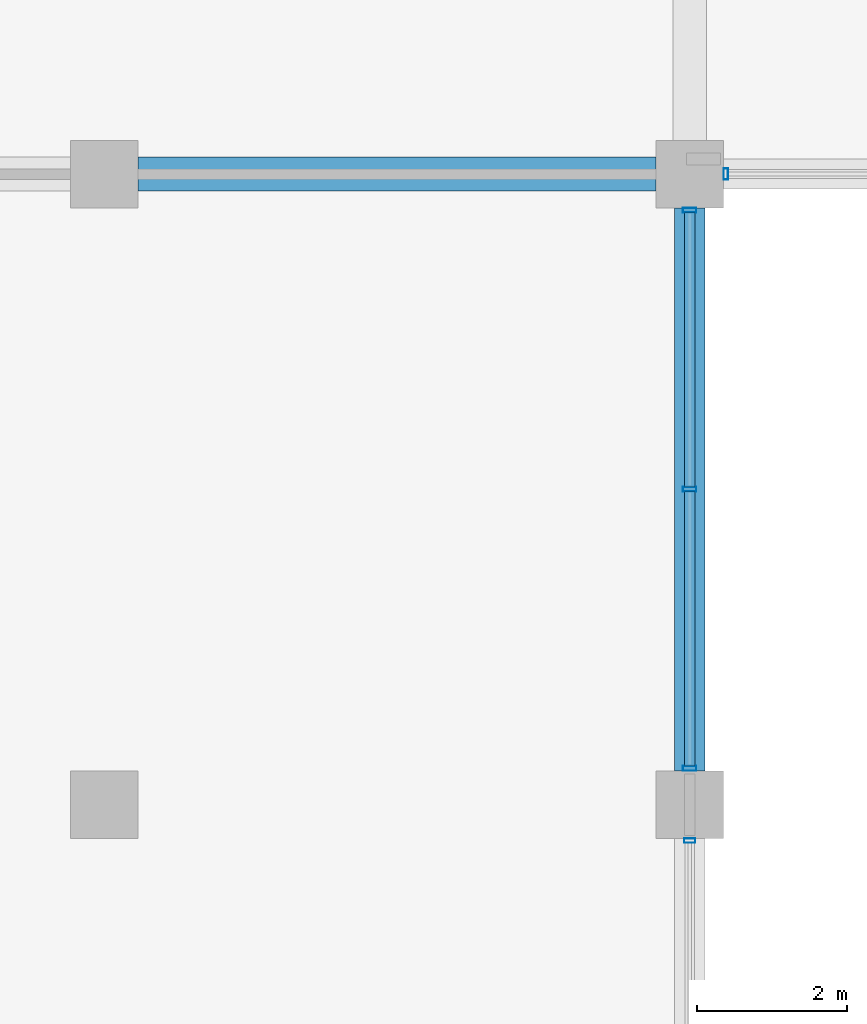
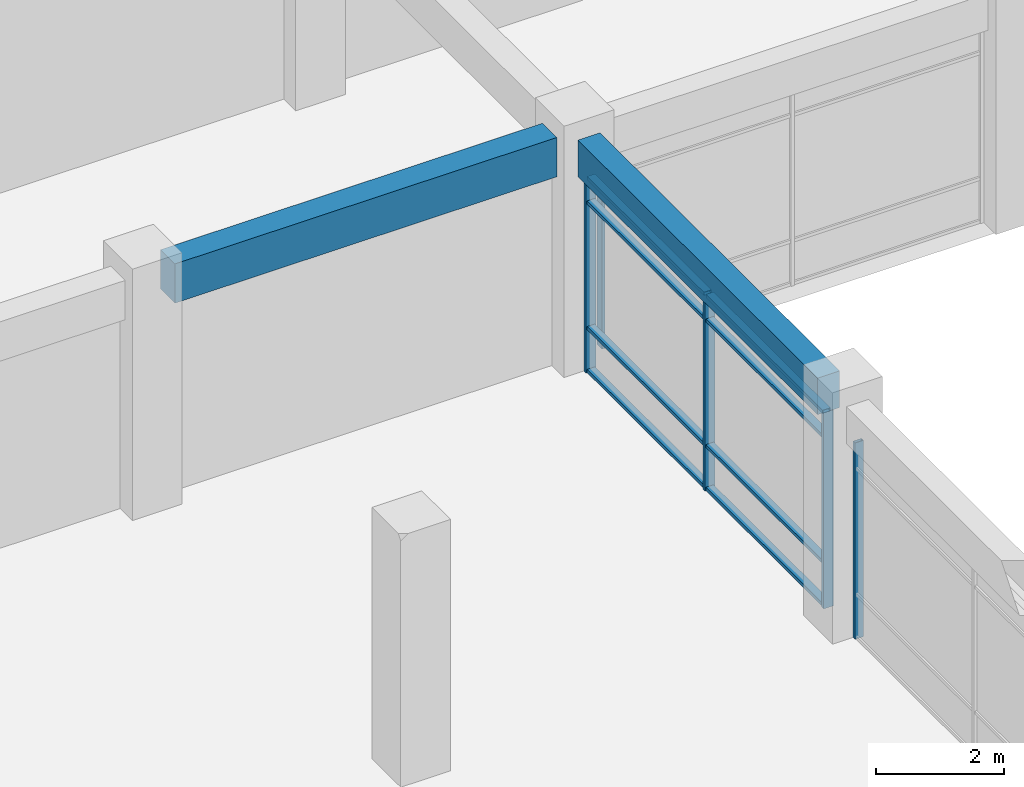
# One storey, part 24 of 79: 13 members, 2 beams, 3 elements without a shape of their own.
"""IFC4 building model written with IfcOpenShell, lengths in metres."""

from ifc_helpers import new_model, si_unit, direction, frame, origin, origin_2d, place, context, subcontext, project, spatial, rectangle, hollow_rectangle, extrude, material, material_profile, profile_set, type_object, element, aggregate, save


model = new_model("IFC4")

# Units and contexts
model_context = context("Model", 3, precision=1e-05, world=origin(), true_north=direction((0.0, 1.0)))
body_context = subcontext(model_context, "Body", "Model", "MODEL_VIEW")
ifc_project = project(units=[si_unit("LENGTHUNIT", "METRE"), si_unit("AREAUNIT", "SQUARE_METRE"), si_unit("VOLUMEUNIT", "CUBIC_METRE"), si_unit("PLANEANGLEUNIT", "RADIAN"), si_unit("MASSUNIT", "GRAM", prefix="KILO"), si_unit("THERMODYNAMICTEMPERATUREUNIT", "KELVIN"), si_unit("POWERUNIT", "WATT")], contexts=[model_context])

# Site, building, storey
site_placement = place(None, origin())
site = spatial("IfcSite", under=ifc_project, at=site_placement, CompositionType="ELEMENT")
building_placement = place(site_placement, origin())
building = spatial("IfcBuilding", under=site, at=building_placement, Name="Srebrne Nadtorze General Hospital", CompositionType="ELEMENT")
storey_placement = place(building_placement, frame((0.0, 0.0, 4.800048828125)))
storey = spatial("IfcBuildingStorey", under=building, at=storey_placement, Name="L01", CompositionType="ELEMENT", Elevation=4.800048828125)

# Curtain wall, member
ifc_material_1 = material(Name="Anodised Aluminium", Category="aluminium")
curtain_wall_type_1 = type_object("IfcCurtainWallType", Name="Unitised curtain wall 6900x3750", PredefinedType="NOTDEFINED", material=ifc_material_1)
curtain_wall_1_placement = place(storey_placement, origin())
curtain_wall_1 = element("IfcCurtainWall", 1, at=curtain_wall_1_placement, inside=storey, type_object=curtain_wall_type_1, Name="Curtain wall CW-048", PredefinedType="NOTDEFINED")
ifc_material_2 = material(Name="Anodised Aluminium", Category="aluminium")
ifc_material_profile_1 = material_profile(ifc_material_2, hollow_rectangle(XDim=0.06005859375, YDim=0.14990234375, WallThickness=0.00390625, at=origin_2d()), Name="AL-MUL-60x150")
ifc_profile_set_1 = profile_set([ifc_material_profile_1], Name="Anodised Aluminium")
member_type_1 = type_object("IfcMemberType", Name="Curtain mullion 60x150", PredefinedType="MULLION", material=ifc_profile_set_1)
member_1_placement = place(storey_placement, frame((117.47998046875, 25.199951171875, 0.0), z_axis=(0.0, 0.0, 1.0), x_axis=(1.0, 0.0, 0.0)))
member_1 = element("IfcMember", 2, at=member_1_placement, type_object=member_type_1, Name="CW-048 mullion 1", PredefinedType="MULLION", context=body_context, shape_type="SweptSolid", body=[
    extrude(hollow_rectangle(XDim=0.06005859375, YDim=0.14990234375, WallThickness=0.00390625, at=origin_2d()), origin(), (0.0, 0.0, 1.0), 3.75),
])
aggregate(curtain_wall_1, [member_1])

ifc_material_3 = material(Name="Anodised Aluminium", Category="aluminium")
curtain_wall_type_2 = type_object("IfcCurtainWallType", Name="Unitised curtain wall 7500x3750", PredefinedType="NOTDEFINED", material=ifc_material_3)
curtain_wall_2_placement = place(storey_placement, origin())
curtain_wall_2 = element("IfcCurtainWall", 3, at=curtain_wall_2_placement, inside=storey, type_object=curtain_wall_type_2, Name="Curtain wall CW-062", PredefinedType="NOTDEFINED")
member_2_placement = place(storey_placement, frame((117.0, 16.320068359375, 0.0), z_axis=(0.0, 0.0, 1.0), x_axis=(0.0, 1.0, 0.0)))
member_2 = element("IfcMember", 4, at=member_2_placement, type_object=member_type_1, Name="CW-062 mullion 3", PredefinedType="MULLION", context=body_context, shape_type="SweptSolid", body=[
    extrude(hollow_rectangle(XDim=0.06005859375, YDim=0.14990234375, WallThickness=0.00390625, at=origin_2d()), origin(), (0.0, 0.0, 1.0), 3.75),
])
aggregate(curtain_wall_2, [member_2])

# Curtain wall, members
curtain_wall_3_placement = place(storey_placement, origin())
curtain_wall_3 = element("IfcCurtainWall", 5, at=curtain_wall_3_placement, inside=storey, type_object=curtain_wall_type_2, Name="Curtain wall CW-063", PredefinedType="NOTDEFINED")
ifc_material_4 = material(Name="Anodised Aluminium", Category="aluminium")
ifc_material_profile_2 = material_profile(ifc_material_4, hollow_rectangle(XDim=0.06494140625, YDim=0.179931640625, WallThickness=0.00390625, at=origin_2d()), Name="AL-MUL-65x180")
ifc_profile_set_2 = profile_set([ifc_material_profile_2], Name="Anodised Aluminium")
member_type_2 = type_object("IfcMemberType", Name="Curtain mullion 65x180", PredefinedType="MULLION", material=ifc_profile_set_2)
member_3_placement = place(storey_placement, frame((117.0, 17.282470703125, 0.0), z_axis=(0.0, 0.0, 1.0), x_axis=(0.0, 1.0, 0.0)))
member_3 = element("IfcMember", 6, at=member_3_placement, type_object=member_type_2, Name="CW-063 mullion 1", PredefinedType="MULLION", context=body_context, shape_type="SweptSolid", body=[
    extrude(hollow_rectangle(XDim=0.06494140625, YDim=0.179931640625, WallThickness=0.00390625, at=origin_2d()), origin(), (0.0, 0.0, 1.0), 3.75),
])
member_4_placement = place(storey_placement, frame((117.0, 21.0, 0.0), z_axis=(0.0, 0.0, 1.0), x_axis=(0.0, 1.0, 0.0)))
member_4 = element("IfcMember", 7, at=member_4_placement, type_object=member_type_2, Name="CW-063 mullion 2", PredefinedType="MULLION", context=body_context, shape_type="SweptSolid", body=[
    extrude(hollow_rectangle(XDim=0.06494140625, YDim=0.179931640625, WallThickness=0.00390625, at=origin_2d()), origin(), (0.0, 0.0, 1.0), 3.75),
])
member_5_placement = place(storey_placement, frame((117.0, 24.717529296875, 0.0), z_axis=(0.0, 0.0, 1.0), x_axis=(0.0, 1.0, 0.0)))
member_5 = element("IfcMember", 8, at=member_5_placement, type_object=member_type_2, Name="CW-063 mullion 3", PredefinedType="MULLION", context=body_context, shape_type="SweptSolid", body=[
    extrude(hollow_rectangle(XDim=0.06494140625, YDim=0.179931640625, WallThickness=0.00390625, at=origin_2d()), origin(), (0.0, 0.0, 1.0), 3.75),
])
ifc_material_5 = material(Name="Anodised Aluminium", Category="aluminium")
ifc_material_profile_3 = material_profile(ifc_material_5, hollow_rectangle(XDim=0.06494140625, YDim=0.139892578125, WallThickness=0.00390625, at=origin_2d()), Name="AL-TRN-65x140")
ifc_profile_set_3 = profile_set([ifc_material_profile_3], Name="Anodised Aluminium")
member_type_3 = type_object("IfcMemberType", Name="Curtain transom 65x140", PredefinedType="USERDEFINED", material=ifc_profile_set_3)
member_6_placement = place(storey_placement, frame((117.0, 17.31494140625, 0.032470703125), z_axis=(0.0, 1.0, 0.0), x_axis=(0.0, 0.0, 1.0)))
member_6 = element("IfcMember", 9, at=member_6_placement, type_object=member_type_3, Name="CW-063 transom 1.1", ObjectType="TRANSOM", PredefinedType="USERDEFINED", context=body_context, shape_type="SweptSolid", body=[
    extrude(hollow_rectangle(XDim=0.06494140625, YDim=0.139892578125, WallThickness=0.00390625, at=origin_2d()), origin(), (0.0, 0.0, 1.0), 3.652587890625),
])
member_7_placement = place(storey_placement, frame((117.0, 17.31494140625, 0.849853515625), z_axis=(0.0, 1.0, 0.0), x_axis=(0.0, 0.0, 1.0)))
member_7 = element("IfcMember", 10, at=member_7_placement, type_object=member_type_3, Name="CW-063 transom 1.2", ObjectType="TRANSOM", PredefinedType="USERDEFINED", context=body_context, shape_type="SweptSolid", body=[
    extrude(hollow_rectangle(XDim=0.06494140625, YDim=0.139892578125, WallThickness=0.00390625, at=origin_2d()), origin(), (0.0, 0.0, 1.0), 3.652587890625),
])
member_8_placement = place(storey_placement, frame((117.0, 17.31494140625, 3.25), z_axis=(0.0, 1.0, 0.0), x_axis=(0.0, 0.0, 1.0)))
member_8 = element("IfcMember", 11, at=member_8_placement, type_object=member_type_3, Name="CW-063 transom 1.3", ObjectType="TRANSOM", PredefinedType="USERDEFINED", context=body_context, shape_type="SweptSolid", body=[
    extrude(hollow_rectangle(XDim=0.06494140625, YDim=0.139892578125, WallThickness=0.00390625, at=origin_2d()), origin(), (0.0, 0.0, 1.0), 3.652587890625),
])
member_9_placement = place(storey_placement, frame((117.0, 17.31494140625, 3.717529296875), z_axis=(0.0, 1.0, 0.0), x_axis=(0.0, 0.0, 1.0)))
member_9 = element("IfcMember", 12, at=member_9_placement, type_object=member_type_3, Name="CW-063 transom 1.4", ObjectType="TRANSOM", PredefinedType="USERDEFINED", context=body_context, shape_type="SweptSolid", body=[
    extrude(hollow_rectangle(XDim=0.06494140625, YDim=0.139892578125, WallThickness=0.00390625, at=origin_2d()), origin(), (0.0, 0.0, 1.0), 3.652587890625),
])
member_10_placement = place(storey_placement, frame((117.0, 21.032470703125, 0.032470703125), z_axis=(0.0, 1.0, 0.0), x_axis=(0.0, 0.0, 1.0)))
member_10 = element("IfcMember", 13, at=member_10_placement, type_object=member_type_3, Name="CW-063 transom 2.1", ObjectType="TRANSOM", PredefinedType="USERDEFINED", context=body_context, shape_type="SweptSolid", body=[
    extrude(hollow_rectangle(XDim=0.06494140625, YDim=0.139892578125, WallThickness=0.00390625, at=origin_2d()), origin(), (0.0, 0.0, 1.0), 3.652587890625),
])
member_11_placement = place(storey_placement, frame((117.0, 21.032470703125, 0.849853515625), z_axis=(0.0, 1.0, 0.0), x_axis=(0.0, 0.0, 1.0)))
member_11 = element("IfcMember", 14, at=member_11_placement, type_object=member_type_3, Name="CW-063 transom 2.2", ObjectType="TRANSOM", PredefinedType="USERDEFINED", context=body_context, shape_type="SweptSolid", body=[
    extrude(hollow_rectangle(XDim=0.06494140625, YDim=0.139892578125, WallThickness=0.00390625, at=origin_2d()), origin(), (0.0, 0.0, 1.0), 3.652587890625),
])
member_12_placement = place(storey_placement, frame((117.0, 21.032470703125, 3.25), z_axis=(0.0, 1.0, 0.0), x_axis=(0.0, 0.0, 1.0)))
member_12 = element("IfcMember", 15, at=member_12_placement, type_object=member_type_3, Name="CW-063 transom 2.3", ObjectType="TRANSOM", PredefinedType="USERDEFINED", context=body_context, shape_type="SweptSolid", body=[
    extrude(hollow_rectangle(XDim=0.06494140625, YDim=0.139892578125, WallThickness=0.00390625, at=origin_2d()), origin(), (0.0, 0.0, 1.0), 3.652587890625),
])
member_13_placement = place(storey_placement, frame((117.0, 21.032470703125, 3.717529296875), z_axis=(0.0, 1.0, 0.0), x_axis=(0.0, 0.0, 1.0)))
member_13 = element("IfcMember", 16, at=member_13_placement, type_object=member_type_3, Name="CW-063 transom 2.4", ObjectType="TRANSOM", PredefinedType="USERDEFINED", context=body_context, shape_type="SweptSolid", body=[
    extrude(hollow_rectangle(XDim=0.06494140625, YDim=0.139892578125, WallThickness=0.00390625, at=origin_2d()), origin(), (0.0, 0.0, 1.0), 3.652587890625),
])
aggregate(curtain_wall_3, [member_3, member_4, member_5, member_6, member_7, member_8, member_9, member_10, member_11, member_12, member_13])

# Beams
ifc_material_6 = material(Name="Concrete C40/50", Category="concrete")
ifc_material_profile_4 = material_profile(ifc_material_6, rectangle(XDim=0.39990234375, YDim=0.699951171875, at=origin_2d()), Name="RC-BM-400x700")
ifc_profile_set_4 = profile_set([ifc_material_profile_4], Name="Concrete C40/50")
beam_type_1 = type_object("IfcBeamType", Name="Edge beam RC 400x700", PredefinedType="BEAM", material=ifc_profile_set_4)
beam_1_placement = place(storey_placement, frame((117.0, 17.25, 4.099853515625), z_axis=(0.0, 1.0, 0.0), x_axis=(-1.0, 0.0, 0.0)))
element("IfcBeam", 17, at=beam_1_placement, inside=storey, type_object=beam_type_1, Name="Beam BM-L01-Y-0516", PredefinedType="BEAM", context=body_context, shape_type="SweptSolid", body=[
    extrude(rectangle(XDim=0.39990234375, YDim=0.699951171875, at=origin_2d()), origin(), (0.0, 0.0, 1.0), 7.5),
])
ifc_material_7 = material(Name="Concrete C40/50", Category="concrete")
ifc_material_profile_5 = material_profile(ifc_material_7, rectangle(XDim=0.449951171875, YDim=0.75, at=origin_2d()), Name="RC-BM-450x750")
ifc_profile_set_5 = profile_set([ifc_material_profile_5], Name="Concrete C40/50")
beam_type_2 = type_object("IfcBeamType", Name="Primary beam RC 450x750", PredefinedType="BEAM", material=ifc_profile_set_5)
beam_2_placement = place(storey_placement, frame((109.64990234375, 25.199951171875, 4.074951171875), z_axis=(1.0, 0.0, 0.0), x_axis=(0.0, 1.0, 0.0)))
element("IfcBeam", 18, at=beam_2_placement, inside=storey, type_object=beam_type_2, Name="Beam BM-L01-X-0395", PredefinedType="BEAM", context=body_context, shape_type="SweptSolid", body=[
    extrude(rectangle(XDim=0.449951171875, YDim=0.75, at=origin_2d()), origin(), (0.0, 0.0, 1.0), 6.900146484375),
])

save(model, "model.ifc")
